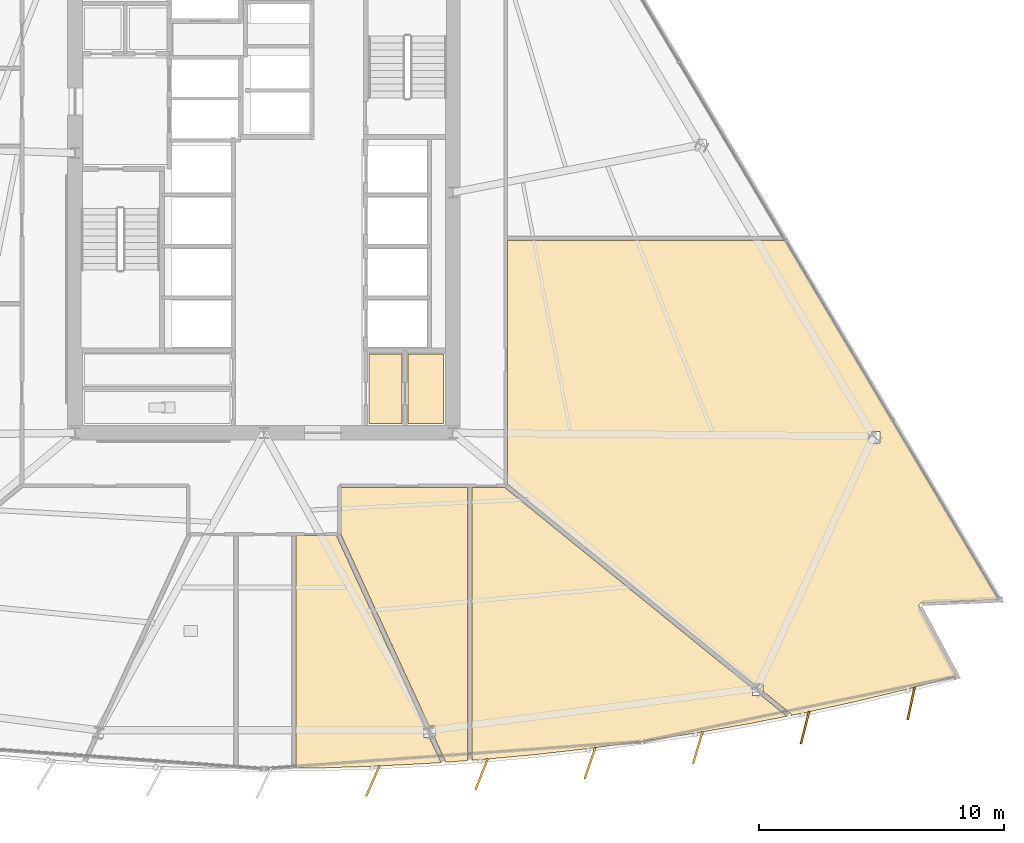
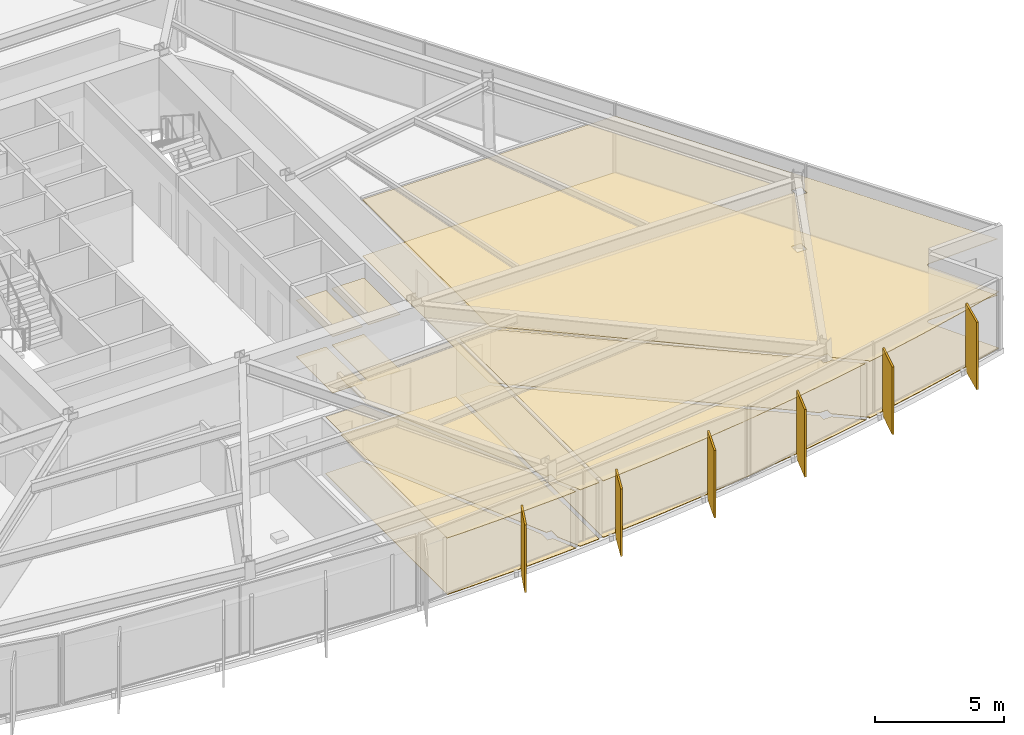
# One storey, part 15 of 18: 12 coverings, 6 shading devices.
"""IFC4 building model written with IfcOpenShell, lengths in metres."""

from ifc_helpers import new_model, si_unit, direction, frame, origin, origin_2d, place, context, subcontext, project, spatial, polyline, rectangle, outline, extrude, material, layer, layer_set, type_object, element, save


model = new_model("IFC4")

# Units and contexts
model_context = context("Model", 3, precision=1e-05, world=origin(), true_north=direction((0.0, 1.0)))
body_context = subcontext(model_context, "Body", "Model", "MODEL_VIEW")
ifc_project = project(units=[si_unit("LENGTHUNIT", "METRE"), si_unit("AREAUNIT", "SQUARE_METRE"), si_unit("VOLUMEUNIT", "CUBIC_METRE"), si_unit("PLANEANGLEUNIT", "RADIAN"), si_unit("MASSUNIT", "GRAM", prefix="KILO")], contexts=[model_context])

# Site, building, storey
site_placement = place(None, origin())
site = spatial("IfcSite", under=ifc_project, at=site_placement, CompositionType="ELEMENT")
building_placement = place(site_placement, origin())
building = spatial("IfcBuilding", under=site, at=building_placement, Name="Savorim Split Tower", CompositionType="ELEMENT")
storey_placement = place(building_placement, frame((0.0, 0.0, 37.199951171875)))
storey = spatial("IfcBuildingStorey", under=building, at=storey_placement, Name="L09", CompositionType="ELEMENT", Elevation=37.199951171875)

# Coverings
ifc_material_1 = material(Name="Mineral Fibre Acoustic Ceiling")
ifc_layer_1 = layer(ifc_material_1, 0.02490234375)
ifc_layer_set_1 = layer_set([ifc_layer_1], Name="COV-CEIL-25")
covering_type_1 = type_object("IfcCoveringType", Name="COV-CEIL-25", PredefinedType="CEILING", material=ifc_layer_set_1)
covering_1_placement = place(storey_placement, frame((0.0, 0.0, 2.670166015625)))
element("IfcCovering", 1, at=covering_1_placement, inside=storey, type_object=covering_type_1, Name="L09 Vending Pantry Acoustic Ceiling", PredefinedType="CEILING", context=body_context, shape_type="SweptSolid", body=[
    extrude(outline(polyline([(4.280029296875, -6.179931640625), (4.280029296875, -9.02001953125), (5.6201171875, -9.02001953125), (5.6201171875, -6.179931640625), (4.280029296875, -6.179931640625)])), origin(), (0.0, 0.0, 1.0), 0.02490234375),
])
covering_2_placement = place(storey_placement, frame((0.0, 0.0, 2.670166015625)))
element("IfcCovering", 2, at=covering_2_placement, inside=storey, type_object=covering_type_1, Name="L09 Recycling Chute Room Acoustic Ceiling", PredefinedType="CEILING", context=body_context, shape_type="SweptSolid", body=[
    extrude(outline(polyline([(5.8798828125, -6.179931640625), (5.8798828125, -9.02001953125), (7.320068359375, -9.02001953125), (7.320068359375, -6.179931640625), (5.8798828125, -6.179931640625)])), origin(), (0.0, 0.0, 1.0), 0.02490234375),
])
covering_3_placement = place(storey_placement, frame((0.0, 0.0, 2.670166015625)))
element("IfcCovering", 3, at=covering_3_placement, inside=storey, type_object=covering_type_1, Name="L09 Maker Workshop Acoustic Ceiling", PredefinedType="CEILING", context=body_context, shape_type="SweptSolid", body=[
    extrude(outline(polyline([(1.3115234375, -23.066650390625), (2.2080078125, -23.057373046875), (4.4150390625, -22.989501953125), (6.6201171875, -22.876708984375), (7.21435546875, -22.833984375), (6.747802734375, -21.821533203125), (6.52685546875, -21.821533203125), (6.52685546875, -21.355712890625), (6.532958984375, -21.355712890625), (2.967041015625, -13.618896484375), (2.953857421875, -13.590087890625), (1.3115234375, -13.590087890625), (1.3115234375, -23.066650390625)])), origin(), (0.0, 0.0, 1.0), 0.02490234375),
])
covering_4_placement = place(storey_placement, frame((0.0, 0.0, 2.670166015625)))
element("IfcCovering", 4, at=covering_4_placement, inside=storey, type_object=covering_type_1, Name="L09 Co-Working Commons Acoustic Ceiling", PredefinedType="CEILING", context=body_context, shape_type="SweptSolid", body=[
    extrude(outline(polyline([(6.956787109375, -21.821533203125), (7.37939453125, -22.738525390625), (7.416748046875, -22.819580078125), (8.29736328125, -22.75634765625), (8.29736328125, -11.6201171875), (3.139892578125, -11.6201171875), (3.139892578125, -13.449951171875), (3.139404296875, -13.463623046875), (3.13720703125, -13.477294921875), (3.134033203125, -13.490478515625), (3.12939453125, -13.503662109375), (3.126220703125, -13.51025390625), (6.7421875, -21.355712890625), (6.962890625, -21.355712890625), (6.962890625, -21.821533203125), (6.956787109375, -21.821533203125)])), origin(), (0.0, 0.0, 1.0), 0.02490234375),
])
covering_5_placement = place(storey_placement, frame((0.0, 0.0, 2.670166015625)))
element("IfcCovering", 5, at=covering_5_placement, inside=storey, type_object=covering_type_1, Name="L09 Co-Working Commons Acoustic Ceiling", PredefinedType="CEILING", context=body_context, shape_type="SweptSolid", body=[
    extrude(outline(polyline([(13.215576171875, -22.267578125), (15.404296875, -21.974853515625), (17.586181640625, -21.63720703125), (19.760986328125, -21.255126953125), (21.30615234375, -20.950927734375), (20.26123046875, -20.103759765625), (19.906982421875, -20.103759765625), (19.906982421875, -19.816162109375), (9.828369140625, -11.642578125), (9.798828125, -11.61865234375), (9.793701171875, -11.619384765625), (9.780029296875, -11.6201171875), (8.4873046875, -11.6201171875), (8.4873046875, -22.742919921875), (8.82275390625, -22.71875), (11.021484375, -22.515625), (13.215576171875, -22.267578125)])), origin(), (0.0, 0.0, 1.0), 0.02490234375),
])
covering_6_placement = place(storey_placement, frame((0.0, 0.0, 2.670166015625)))
element("IfcCovering", 6, at=covering_6_placement, inside=storey, type_object=covering_type_1, Name="L09 Co-Working Commons Acoustic Ceiling", PredefinedType="CEILING", context=body_context, shape_type="SweptSolid", body=[
    extrude(outline(polyline([(26.79931640625, -16.3291015625), (26.810791015625, -16.328125), (29.954345703125, -16.1943359375), (21.25244140625, -1.560302734375), (9.919921875, -1.560302734375), (9.919921875, -11.472412109375), (19.98828125, -19.6376953125), (20.343017578125, -19.6376953125), (20.343017578125, -19.92529296875), (21.436767578125, -20.812255859375), (21.510498046875, -20.872314453125), (21.473388671875, -20.91796875), (21.927490234375, -20.82861328125), (24.0849609375, -20.357666015625), (26.232177734375, -19.843017578125), (28.22216796875, -19.322509765625), (26.710205078125, -16.504638671875), (26.705322265625, -16.494384765625), (26.701416015625, -16.4833984375), (26.698486328125, -16.472412109375), (26.69677734375, -16.4609375), (26.696044921875, -16.449462890625), (26.6962890625, -16.437744140625), (26.697998046875, -16.426513671875), (26.70068359375, -16.4150390625), (26.704345703125, -16.404296875), (26.708984375, -16.393798828125), (26.714599609375, -16.383544921875), (26.721435546875, -16.374267578125), (26.72900390625, -16.365478515625), (26.7373046875, -16.357421875), (26.746337890625, -16.350341796875), (26.756103515625, -16.343994140625), (26.766357421875, -16.3388671875), (26.777099609375, -16.33447265625), (26.7880859375, -16.331298828125), (26.79931640625, -16.3291015625)]), holes=[polyline([(25.103515625, -9.806884765625), (25.103515625, -9.3408203125), (24.66748046875, -9.3408203125), (24.66748046875, -9.806884765625), (25.103515625, -9.806884765625)])]), origin(), (0.0, 0.0, 1.0), 0.02490234375),
])
ifc_material_2 = material(Name="Porcelain Stoneware Flooring", Category="masonry")
ifc_layer_2 = layer(ifc_material_2, 0.02001953125)
ifc_layer_set_2 = layer_set([ifc_layer_2], Name="COV-FLOR-20")
covering_type_2 = type_object("IfcCoveringType", Name="COV-FLOR-20", PredefinedType="FLOORING", material=ifc_layer_set_2)
covering_7_placement = place(storey_placement, origin())
element("IfcCovering", 7, at=covering_7_placement, inside=storey, type_object=covering_type_2, Name="L09 Vending Pantry Porcelain Flooring", PredefinedType="FLOORING", context=body_context, shape_type="SweptSolid", body=[
    extrude(outline(polyline([(4.280029296875, -6.179931640625), (4.280029296875, -9.02001953125), (5.6201171875, -9.02001953125), (5.6201171875, -6.179931640625), (4.280029296875, -6.179931640625)])), origin(), (0.0, 0.0, 1.0), 0.02001953125),
])
covering_8_placement = place(storey_placement, origin())
element("IfcCovering", 8, at=covering_8_placement, inside=storey, type_object=covering_type_2, Name="L09 Recycling Chute Room Porcelain Flooring", PredefinedType="FLOORING", context=body_context, shape_type="SweptSolid", body=[
    extrude(outline(polyline([(5.8798828125, -6.179931640625), (5.8798828125, -9.02001953125), (7.320068359375, -9.02001953125), (7.320068359375, -6.179931640625), (5.8798828125, -6.179931640625)])), origin(), (0.0, 0.0, 1.0), 0.02001953125),
])
covering_9_placement = place(storey_placement, origin())
element("IfcCovering", 9, at=covering_9_placement, inside=storey, type_object=covering_type_2, Name="L09 Maker Workshop Porcelain Flooring", PredefinedType="FLOORING", context=body_context, shape_type="SweptSolid", body=[
    extrude(outline(polyline([(1.3115234375, -23.066650390625), (2.2080078125, -23.057373046875), (4.4150390625, -22.989501953125), (6.6201171875, -22.876708984375), (7.21435546875, -22.833984375), (6.747802734375, -21.821533203125), (6.52685546875, -21.821533203125), (6.52685546875, -21.355712890625), (6.532958984375, -21.355712890625), (2.967041015625, -13.618896484375), (2.953857421875, -13.590087890625), (1.3115234375, -13.590087890625), (1.3115234375, -23.066650390625)])), origin(), (0.0, 0.0, 1.0), 0.02001953125),
])
covering_10_placement = place(storey_placement, origin())
element("IfcCovering", 10, at=covering_10_placement, inside=storey, type_object=covering_type_2, Name="L09 Co-Working Commons Porcelain Flooring", PredefinedType="FLOORING", context=body_context, shape_type="SweptSolid", body=[
    extrude(outline(polyline([(6.956787109375, -21.821533203125), (7.37939453125, -22.738525390625), (7.416748046875, -22.819580078125), (8.29736328125, -22.75634765625), (8.29736328125, -11.6201171875), (3.139892578125, -11.6201171875), (3.139892578125, -13.449951171875), (3.139404296875, -13.463623046875), (3.13720703125, -13.477294921875), (3.134033203125, -13.490478515625), (3.12939453125, -13.503662109375), (3.126220703125, -13.51025390625), (6.7421875, -21.355712890625), (6.962890625, -21.355712890625), (6.962890625, -21.821533203125), (6.956787109375, -21.821533203125)])), origin(), (0.0, 0.0, 1.0), 0.02001953125),
])
covering_11_placement = place(storey_placement, origin())
element("IfcCovering", 11, at=covering_11_placement, inside=storey, type_object=covering_type_2, Name="L09 Co-Working Commons Porcelain Flooring", PredefinedType="FLOORING", context=body_context, shape_type="SweptSolid", body=[
    extrude(outline(polyline([(13.215576171875, -22.267578125), (15.404296875, -21.974853515625), (17.586181640625, -21.63720703125), (19.760986328125, -21.255126953125), (21.30615234375, -20.950927734375), (20.26123046875, -20.103759765625), (19.906982421875, -20.103759765625), (19.906982421875, -19.816162109375), (9.828369140625, -11.642578125), (9.798828125, -11.61865234375), (9.793701171875, -11.619384765625), (9.780029296875, -11.6201171875), (8.4873046875, -11.6201171875), (8.4873046875, -22.742919921875), (8.82275390625, -22.71875), (11.021484375, -22.515625), (13.215576171875, -22.267578125)])), origin(), (0.0, 0.0, 1.0), 0.02001953125),
])
covering_12_placement = place(storey_placement, origin())
element("IfcCovering", 12, at=covering_12_placement, inside=storey, type_object=covering_type_2, Name="L09 Co-Working Commons Porcelain Flooring", PredefinedType="FLOORING", context=body_context, shape_type="SweptSolid", body=[
    extrude(outline(polyline([(26.79931640625, -16.3291015625), (26.810791015625, -16.328125), (29.954345703125, -16.1943359375), (21.25244140625, -1.560302734375), (9.919921875, -1.560302734375), (9.919921875, -11.472412109375), (19.98828125, -19.6376953125), (20.343017578125, -19.6376953125), (20.343017578125, -19.92529296875), (21.436767578125, -20.812255859375), (21.510498046875, -20.872314453125), (21.473388671875, -20.91796875), (21.927490234375, -20.82861328125), (24.0849609375, -20.357666015625), (26.232177734375, -19.843017578125), (28.22216796875, -19.322509765625), (26.710205078125, -16.504638671875), (26.705322265625, -16.494384765625), (26.701416015625, -16.4833984375), (26.698486328125, -16.472412109375), (26.69677734375, -16.4609375), (26.696044921875, -16.449462890625), (26.6962890625, -16.437744140625), (26.697998046875, -16.426513671875), (26.70068359375, -16.4150390625), (26.704345703125, -16.404296875), (26.708984375, -16.393798828125), (26.714599609375, -16.383544921875), (26.721435546875, -16.374267578125), (26.72900390625, -16.365478515625), (26.7373046875, -16.357421875), (26.746337890625, -16.350341796875), (26.756103515625, -16.343994140625), (26.766357421875, -16.3388671875), (26.777099609375, -16.33447265625), (26.7880859375, -16.331298828125), (26.79931640625, -16.3291015625)]), holes=[polyline([(25.103515625, -9.806884765625), (25.103515625, -9.3408203125), (24.66748046875, -9.3408203125), (24.66748046875, -9.806884765625), (25.103515625, -9.806884765625)])]), origin(), (0.0, 0.0, 1.0), 0.02001953125),
])

# Shading devices
ifc_material_3 = material(Name="Terracotta Ceramic-Coated Aluminium Fin", Category="masonry")
shading_device_type = type_object("IfcShadingDeviceType", Name="SHD-FIN-1360", PredefinedType="USERDEFINED", material=ifc_material_3)
for number, where, z_axis, x_axis, name in (
    (13, (4.439453125, -23.585205078125, -0.19970703125), (0.0, 0.0, 1.0), (-0.401230091723, -0.915977299662, 0.0), "L09 Sawtooth Shading Fin 08"),
    (14, (8.871337890625, -23.312744140625, -0.19970703125), (0.0, 0.0, 1.0), (-0.363415461732, -0.931627179817, 0.0), "L09 Sawtooth Shading Fin 09"),
    (15, (13.28857421875, -22.859130859375, -0.19970703125), (0.0, 0.0, 1.0), (-0.324993810493, -0.945716143005, 0.0), "L09 Sawtooth Shading Fin 10"),
    (16, (17.68359375, -22.225341796875, -0.19970703125), (0.0, 0.0, 1.0), (-0.286026212504, -0.958221793616, 0.0), "L09 Sawtooth Shading Fin 11"),
    (17, (22.048583984375, -21.412109375, -0.19970703125), (0.0, 0.0, 1.0), (-0.246581250663, -0.969122121727, 0.0), "L09 Sawtooth Shading Fin 12"),
    (18, (26.377197265625, -20.4208984375, -0.19970703125), (0.0, 0.0, 1.0), (-0.206721626106, -0.978399800337, 0.0), "L09 Sawtooth Shading Fin 13"),
):
    element("IfcShadingDevice", number, at=place(storey_placement, frame(where, z_axis=z_axis, x_axis=x_axis)), inside=storey, type_object=shading_device_type, Name=name, ObjectType="FIN", PredefinedType="USERDEFINED", context=body_context, shape_type="SweptSolid", body=[
        extrude(rectangle(XDim=1.360107421875, YDim=0.080078125, at=origin_2d()), origin(), (0.0, 0.0, 1.0), 3.199951171875),
    ])

save(model, "model.ifc")
